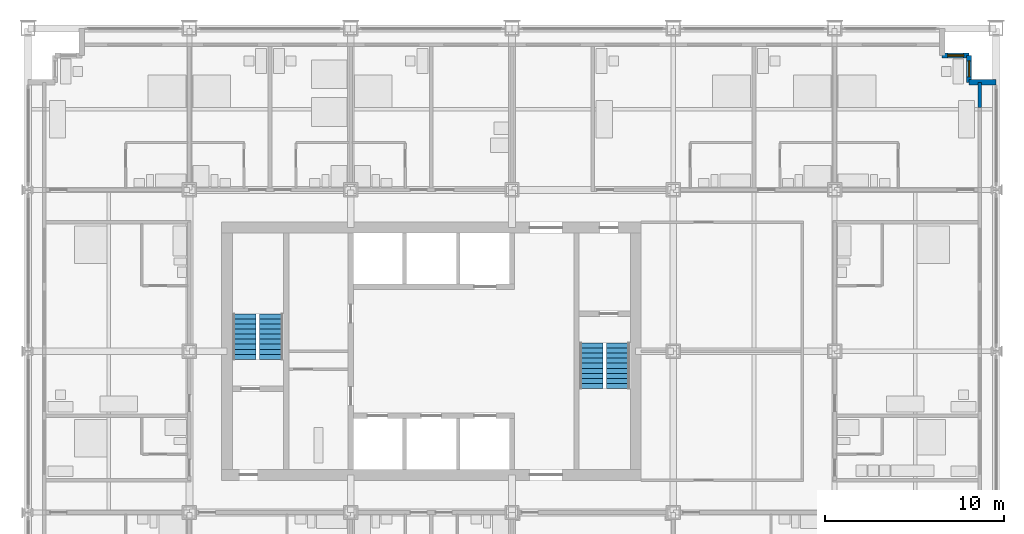
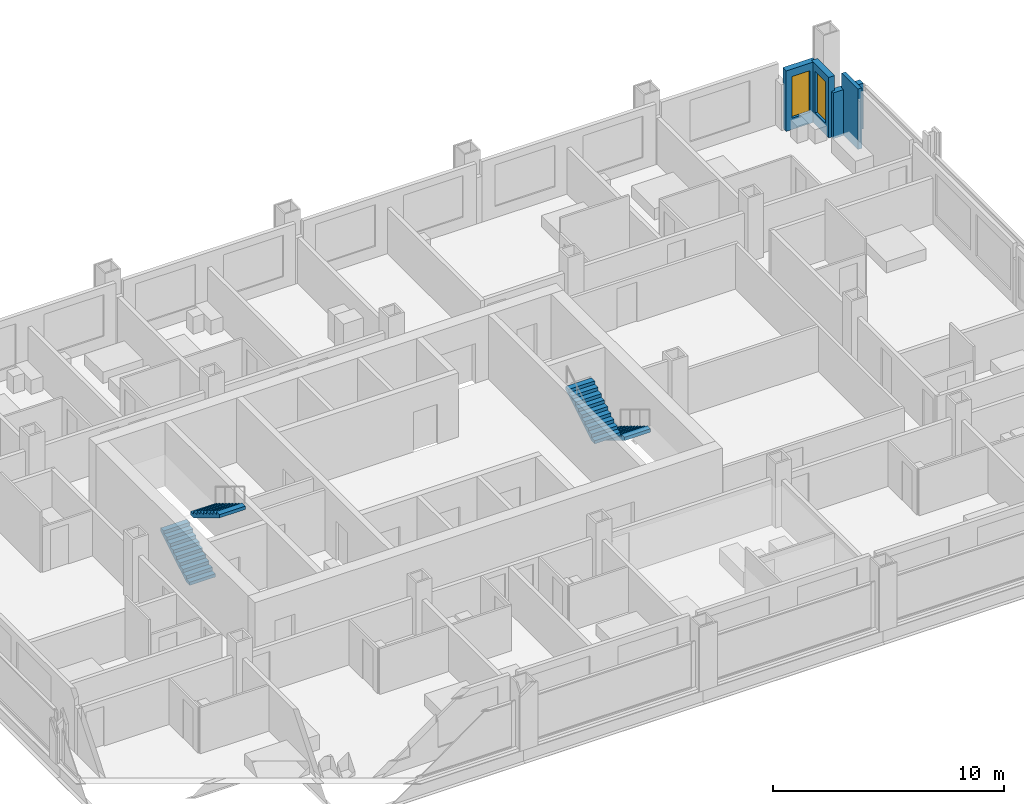
# One storey, part 15 of 18: 4 stair flights, 4 walls, 2 windows, 2 openings, 2 elements without a shape of their own.
"""IFC4 building model written with IfcOpenShell, lengths in metres."""

from ifc_helpers import new_model, si_unit, direction, frame, frame_2d, origin, place, context, subcontext, project, spatial, polyline, rectangle, outline, extrude, material, layer, layer_set, type_object, element, fill, aggregate, save


model = new_model("IFC4")

# Units and contexts
model_context = context("Model", 3, precision=1e-05, world=origin(), true_north=direction((0.0, 1.0)))
body_context = subcontext(model_context, "Body", "Model", "MODEL_VIEW")
ifc_project = project(units=[si_unit("LENGTHUNIT", "METRE"), si_unit("AREAUNIT", "SQUARE_METRE"), si_unit("VOLUMEUNIT", "CUBIC_METRE"), si_unit("PLANEANGLEUNIT", "RADIAN"), si_unit("MASSUNIT", "GRAM", prefix="KILO")], contexts=[model_context])

# Site, building, storey
site_placement = place(None, origin())
site = spatial("IfcSite", under=ifc_project, at=site_placement, CompositionType="ELEMENT")
building_placement = place(site_placement, origin())
building = spatial("IfcBuilding", under=site, at=building_placement, Name="Loomwork Tower", CompositionType="ELEMENT")
storey_placement = place(building_placement, frame((0.0, 0.0, 65.39990234375)))
storey = spatial("IfcBuildingStorey", under=building, at=storey_placement, Name="L16", CompositionType="ELEMENT", Elevation=65.39990234375)

# Walls
ifc_material_1 = material(Name="Insulated steel stud wall with gypsum lining", Category="steel")
ifc_layer_1 = layer(ifc_material_1, 0.199951171875)
ifc_layer_set_1 = layer_set([ifc_layer_1], Name="Inner skin wall 200")
wall_type_1 = type_object("IfcWallType", Name="Inner skin wall 200", PredefinedType="SOLIDWALL", material=ifc_layer_set_1)
wall_1_placement = place(storey_placement, frame((53.10009765625, 31.607421875, 0.0), z_axis=(0.0, 0.0, 1.0), x_axis=(0.0, 1.0, 0.0)))
element("IfcWall", 1, at=wall_1_placement, inside=storey, type_object=wall_type_1, Name="Inner skin wall E bay 11", PredefinedType="SOLIDWALL", context=body_context, shape_type="SweptSolid", body=[
    extrude(rectangle(XDim=1.392578125, YDim=0.199951171875, at=frame_2d((0.6962890625, 0.0))), origin(), (0.0, 0.0, 1.0), 3.2001953125),
])
ifc_material_2 = material(Name="Limestone on concrete masonry", Category="masonry")
ifc_layer_2 = layer(ifc_material_2, 0.300048828125)
ifc_layer_set_2 = layer_set([ifc_layer_2], Name="Limestone corner wall 300")
wall_type_2 = type_object("IfcWallType", Name="Limestone corner wall 300", PredefinedType="SOLIDWALL", material=ifc_layer_set_2)
wall_2_placement = place(storey_placement, frame((54.0, 33.0, 0.0), z_axis=(0.0, 0.0, 1.0), x_axis=(-1.0, 0.0, 0.0)))
element("IfcWall", 2, at=wall_2_placement, inside=storey, type_object=wall_type_2, Name="Stone corner wall NE 1", PredefinedType="SOLIDWALL", context=body_context, shape_type="SweptSolid", body=[
    extrude(rectangle(XDim=1.5, YDim=0.300048828125, at=frame_2d((0.75, 0.0))), origin(), (0.0, 0.0, 1.0), 2.420166015625),
])

# Wall, opening, window
wall_3_placement = place(storey_placement, frame((52.5, 33.0, 0.0), z_axis=(0.0, 0.0, 1.0), x_axis=(0.0, 1.0, 0.0)))
wall_3 = element("IfcWall", 3, at=wall_3_placement, inside=storey, type_object=wall_type_2, Name="Stone corner wall NE 2", PredefinedType="SOLIDWALL", context=body_context, shape_type="SweptSolid", body=[
    extrude(rectangle(XDim=1.5, YDim=0.300048828125, at=frame_2d((0.75, 0.0))), origin(), (0.0, 0.0, 1.0), 3.2001953125),
])
opening_1_placement = place(wall_3_placement, frame((0.300048828125, 0.0, 0.60009765625)))
opening_1 = element("IfcOpeningElement", 4, at=opening_1_placement, cuts=wall_3, Name="Opening CH2", PredefinedType="OPENING", context=body_context, shape_type="SweptSolid", body=[
    extrude(rectangle(XDim=0.89990234375, YDim=2.199951171875, at=frame_2d((0.449951171875, 1.10009765625))), frame((0.0, 0.159912109375, 0.0), z_axis=(0.0, -1.0, 0.0), x_axis=(1.0, 0.0, 0.0)), (0.0, 0.0, 1.0), 0.320068359375),
])
ifc_material_3 = material(Name="Aluminium frame with clear insulated glass", Category="aluminium")
window_type = type_object("IfcWindowType", Name="Corner window 900", PartitioningType="SINGLE_PANEL", PredefinedType="WINDOW", material=ifc_material_3)
window_1_placement = place(opening_1_placement, origin())
window_1 = element("IfcWindow", 5, at=window_1_placement, inside=storey, type_object=window_type, Name="Corner window NE", OverallHeight=2.199951171875, OverallWidth=0.89990234375, PartitioningType="SINGLE_PANEL", PredefinedType="WINDOW", context=body_context, shape_type="SweptSolid", body=[
    extrude(rectangle(XDim=0.89990234375, YDim=2.199951171875, at=frame_2d((0.449951171875, 1.10009765625))), frame((0.0, 0.030029296875, 0.0), z_axis=(0.0, -1.0, 0.0), x_axis=(1.0, 0.0, 0.0)), (0.0, 0.0, 1.0), 0.06005859375),
])
fill(opening_1, window_1)

wall_4_placement = place(storey_placement, frame((52.5, 34.5, 0.0), z_axis=(0.0, 0.0, 1.0), x_axis=(-1.0, 0.0, 0.0)))
wall_4 = element("IfcWall", 6, at=wall_4_placement, inside=storey, type_object=wall_type_2, Name="Stone corner wall NE 3", PredefinedType="SOLIDWALL", context=body_context, shape_type="SweptSolid", body=[
    extrude(rectangle(XDim=1.5, YDim=0.300048828125, at=frame_2d((0.75, 0.0))), origin(), (0.0, 0.0, 1.0), 3.2001953125),
])
opening_2_placement = place(wall_4_placement, frame((0.300048828125, 0.0, 0.60009765625)))
opening_2 = element("IfcOpeningElement", 7, at=opening_2_placement, cuts=wall_4, Name="Opening CH2", PredefinedType="OPENING", context=body_context, shape_type="SweptSolid", body=[
    extrude(rectangle(XDim=0.89990234375, YDim=2.199951171875, at=frame_2d((0.449951171875, 1.10009765625))), frame((0.0, 0.159912109375, 0.0), z_axis=(0.0, -1.0, 0.0), x_axis=(1.0, 0.0, 0.0)), (0.0, 0.0, 1.0), 0.320068359375),
])
window_2_placement = place(opening_2_placement, origin())
window_2 = element("IfcWindow", 8, at=window_2_placement, inside=storey, type_object=window_type, Name="Corner window NE", OverallHeight=2.199951171875, OverallWidth=0.89990234375, PartitioningType="SINGLE_PANEL", PredefinedType="WINDOW", context=body_context, shape_type="SweptSolid", body=[
    extrude(rectangle(XDim=0.89990234375, YDim=2.199951171875, at=frame_2d((0.449951171875, 1.10009765625))), frame((0.0, 0.030029296875, 0.0), z_axis=(0.0, -1.0, 0.0), x_axis=(1.0, 0.0, 0.0)), (0.0, 0.0, 1.0), 0.06005859375),
])
fill(opening_2, window_2)

# Stair, stair flights
ifc_material_4 = material(Name="Concrete 5000 psi (34 MPa) precast stair", Category="concrete")
stair_type_1 = type_object("IfcStairType", Name="Stair ST-A 20 risers 2850 wide", PredefinedType="HALF_TURN_STAIR", material=ifc_material_4)
stair_1_placement = place(storey_placement, origin())
stair_1 = element("IfcStair", 9, at=stair_1_placement, inside=storey, type_object=stair_type_1, Name="Stair A L16", PredefinedType="HALF_TURN_STAIR")
ifc_material_5 = material(Name="Concrete 5000 psi (34 MPa) precast stair", Category="concrete")
stair_flight_type_1 = type_object("IfcStairFlightType", Name="Stair flight ST-A 10 risers 1300 wide", PredefinedType="STRAIGHT", material=ifc_material_5)
stair_flight_1_placement = place(storey_placement, frame((12.074951171875, 17.550048828125, 0.0), z_axis=(0.0, 0.0, 1.0), x_axis=(0.0, 1.0, 0.0)))
stair_flight_1 = element("IfcStairFlight", 10, at=stair_flight_1_placement, type_object=stair_flight_type_1, Name="ST-A flight 1", NumberOfRisers=10, NumberOfTreads=9, PredefinedType="STRAIGHT", RiserHeight=0.17, TreadLength=0.28, context=body_context, shape_type="SweptSolid", body=[
    extrude(outline(polyline([(0.0, 0.0), (0.0, 0.169921875), (0.280029296875, 0.169921875), (0.280029296875, 0.340087890625), (0.56005859375, 0.340087890625), (0.56005859375, 0.510009765625), (0.840087890625, 0.510009765625), (0.840087890625, 0.679931640625), (1.1201171875, 0.679931640625), (1.1201171875, 0.85009765625), (1.39990234375, 0.85009765625), (1.39990234375, 1.02001953125), (1.679931640625, 1.02001953125), (1.679931640625, 1.18994140625), (1.9599609375, 1.18994140625), (1.9599609375, 1.360107421875), (2.239990234375, 1.360107421875), (2.239990234375, 1.530029296875), (2.52001953125, 1.530029296875), (2.52001953125, 1.699951171875), (2.52001953125, 1.354736328125), (0.288818359375, 0.0), (0.0, 0.0)])), frame((0.0, 0.64990234375, 0.0), z_axis=(0.0, -1.0, 0.0), x_axis=(1.0, 0.0, 0.0)), (0.0, 0.0, 1.0), 1.300048828125),
])
stair_flight_2_placement = place(storey_placement, frame((13.574951171875, 20.070068359375, 1.7001953125), z_axis=(0.0, 0.0, 1.0), x_axis=(0.0, -1.0, 0.0)))
stair_flight_2 = element("IfcStairFlight", 11, at=stair_flight_2_placement, type_object=stair_flight_type_1, Name="ST-A flight 2", NumberOfRisers=10, NumberOfTreads=9, PredefinedType="STRAIGHT", RiserHeight=0.17, TreadLength=0.28, context=body_context, shape_type="SweptSolid", body=[
    extrude(outline(polyline([(0.0, 0.0), (0.0, 0.169921875), (0.280029296875, 0.169921875), (0.280029296875, 0.340087890625), (0.56005859375, 0.340087890625), (0.56005859375, 0.510009765625), (0.840087890625, 0.510009765625), (0.840087890625, 0.679931640625), (1.1201171875, 0.679931640625), (1.1201171875, 0.85009765625), (1.39990234375, 0.85009765625), (1.39990234375, 1.02001953125), (1.679931640625, 1.02001953125), (1.679931640625, 1.18994140625), (1.9599609375, 1.18994140625), (1.9599609375, 1.360107421875), (2.239990234375, 1.360107421875), (2.239990234375, 1.530029296875), (2.52001953125, 1.530029296875), (2.52001953125, 1.699951171875), (2.52001953125, 1.354736328125), (0.288818359375, 0.0), (0.0, 0.0)])), frame((0.0, 0.64990234375, 0.0), z_axis=(0.0, -1.0, 0.0), x_axis=(1.0, 0.0, 0.0)), (0.0, 0.0, 1.0), 1.300048828125),
])
aggregate(stair_1, [stair_flight_1, stair_flight_2])

ifc_material_6 = material(Name="Concrete 5000 psi (34 MPa) precast stair", Category="concrete")
stair_type_2 = type_object("IfcStairType", Name="Stair ST-B 20 risers 2850 wide", PredefinedType="HALF_TURN_STAIR", material=ifc_material_6)
stair_2_placement = place(storey_placement, origin())
stair_2 = element("IfcStair", 12, at=stair_2_placement, inside=storey, type_object=stair_type_2, Name="Stair B L16", PredefinedType="HALF_TURN_STAIR")
ifc_material_7 = material(Name="Concrete 5000 psi (34 MPa) precast stair", Category="concrete")
stair_flight_type_2 = type_object("IfcStairFlightType", Name="Stair flight ST-B 10 risers 1300 wide", PredefinedType="STRAIGHT", material=ifc_material_7)
stair_flight_3_placement = place(storey_placement, frame((32.925048828125, 18.449951171875, 0.0), z_axis=(0.0, 0.0, 1.0), x_axis=(0.0, -1.0, 0.0)))
stair_flight_3 = element("IfcStairFlight", 13, at=stair_flight_3_placement, type_object=stair_flight_type_2, Name="ST-B flight 1", NumberOfRisers=10, NumberOfTreads=9, PredefinedType="STRAIGHT", RiserHeight=0.17, TreadLength=0.28, context=body_context, shape_type="SweptSolid", body=[
    extrude(outline(polyline([(0.0, 0.0), (0.0, 0.169921875), (0.280029296875, 0.169921875), (0.280029296875, 0.340087890625), (0.56005859375, 0.340087890625), (0.56005859375, 0.510009765625), (0.840087890625, 0.510009765625), (0.840087890625, 0.679931640625), (1.1201171875, 0.679931640625), (1.1201171875, 0.85009765625), (1.39990234375, 0.85009765625), (1.39990234375, 1.02001953125), (1.679931640625, 1.02001953125), (1.679931640625, 1.18994140625), (1.9599609375, 1.18994140625), (1.9599609375, 1.360107421875), (2.239990234375, 1.360107421875), (2.239990234375, 1.530029296875), (2.52001953125, 1.530029296875), (2.52001953125, 1.699951171875), (2.52001953125, 1.354736328125), (0.288818359375, 0.0), (0.0, 0.0)])), frame((0.0, 0.64990234375, 0.0), z_axis=(0.0, -1.0, 0.0), x_axis=(1.0, 0.0, 0.0)), (0.0, 0.0, 1.0), 1.300048828125),
])
stair_flight_4_placement = place(storey_placement, frame((31.425048828125, 15.929931640625, 1.7001953125), z_axis=(0.0, 0.0, 1.0), x_axis=(0.0, 1.0, 0.0)))
stair_flight_4 = element("IfcStairFlight", 14, at=stair_flight_4_placement, type_object=stair_flight_type_2, Name="ST-B flight 2", NumberOfRisers=10, NumberOfTreads=9, PredefinedType="STRAIGHT", RiserHeight=0.17, TreadLength=0.28, context=body_context, shape_type="SweptSolid", body=[
    extrude(outline(polyline([(0.0, 0.0), (0.0, 0.169921875), (0.280029296875, 0.169921875), (0.280029296875, 0.340087890625), (0.56005859375, 0.340087890625), (0.56005859375, 0.510009765625), (0.840087890625, 0.510009765625), (0.840087890625, 0.679931640625), (1.1201171875, 0.679931640625), (1.1201171875, 0.85009765625), (1.39990234375, 0.85009765625), (1.39990234375, 1.02001953125), (1.679931640625, 1.02001953125), (1.679931640625, 1.18994140625), (1.9599609375, 1.18994140625), (1.9599609375, 1.360107421875), (2.239990234375, 1.360107421875), (2.239990234375, 1.530029296875), (2.52001953125, 1.530029296875), (2.52001953125, 1.699951171875), (2.52001953125, 1.354736328125), (0.288818359375, 0.0), (0.0, 0.0)])), frame((0.0, 0.64990234375, 0.0), z_axis=(0.0, -1.0, 0.0), x_axis=(1.0, 0.0, 0.0)), (0.0, 0.0, 1.0), 1.300048828125),
])
aggregate(stair_2, [stair_flight_3, stair_flight_4])

save(model, "model.ifc")
